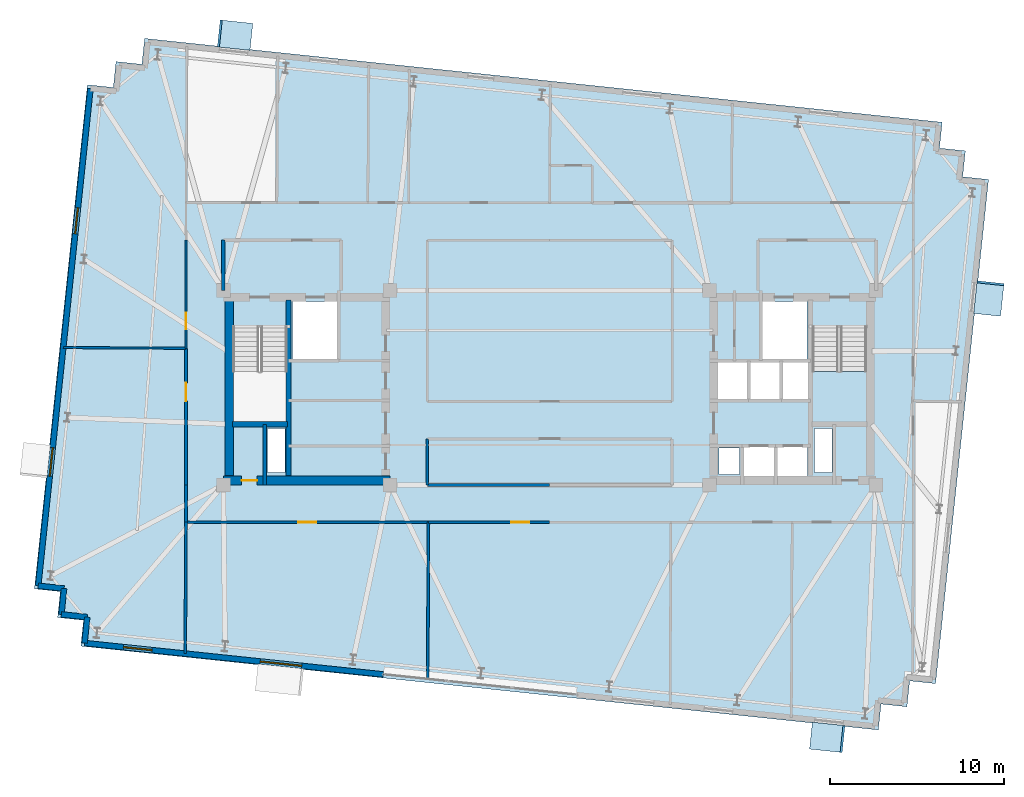
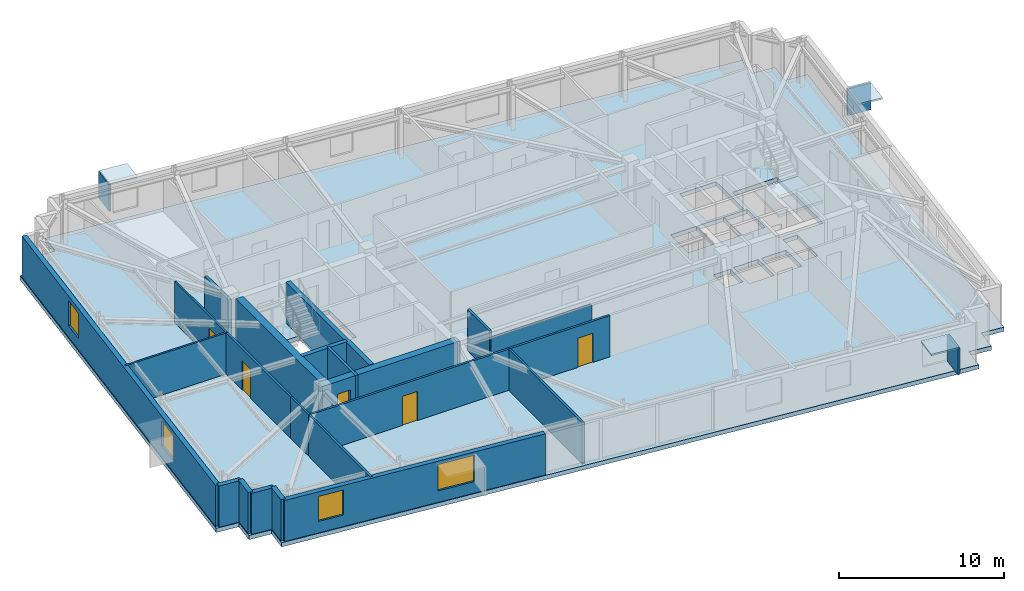
# One storey, part 7 of 13: 22 walls, 6 plates, 5 doors, 4 windows, 2 slabs, 9 openings, 1 element without a shape of its own.
"""IFC4 building model written with IfcOpenShell, lengths in metres."""

from ifc_helpers import new_model, si_unit, direction, frame, frame_2d, origin, origin_2d, place, context, subcontext, project, spatial, polyline, rectangle, outline, extrude, material, layer, layer_set, type_object, element, fill, aggregate, save


model = new_model("IFC4")

# Units and contexts
model_context = context("Model", 3, precision=1e-05, world=origin(), true_north=direction((0.0, 1.0)))
body_context = subcontext(model_context, "Body", "Model", "MODEL_VIEW")
ifc_project = project(units=[si_unit("LENGTHUNIT", "METRE"), si_unit("AREAUNIT", "SQUARE_METRE"), si_unit("VOLUMEUNIT", "CUBIC_METRE"), si_unit("PLANEANGLEUNIT", "RADIAN"), si_unit("MASSUNIT", "GRAM", prefix="KILO")], contexts=[model_context])

# Site, building, storey
site_placement = place(None, origin())
site = spatial("IfcSite", under=ifc_project, at=site_placement, CompositionType="ELEMENT")
building_placement = place(site_placement, origin())
building = spatial("IfcBuilding", under=site, at=building_placement, Name="Qobustan Lattice House", CompositionType="ELEMENT")
storey_placement = place(building_placement, frame((0.0, 0.0, 199.75)))
storey = spatial("IfcBuildingStorey", under=building, at=storey_placement, Name="L56", CompositionType="ELEMENT", Elevation=199.75)

# Plates
ifc_material_1 = material(Name="Qobustan limestone GFRC", Category="masonry")
ifc_layer_1 = layer(ifc_material_1, 0.1201171875)
ifc_layer_set_1 = layer_set([ifc_layer_1], Name="Qobustan limestone GFRC")
plate_type = type_object("IfcPlateType", Name="SHD-HOOD-BROW", PredefinedType="USERDEFINED", material=ifc_layer_set_1)
plate_1_placement = place(storey_placement, frame((-18.12158203125, 20.304443359375, 2.699951171875), z_axis=(0.0, 0.0, 1.0), x_axis=(0.994521895368, -0.104528463268, 0.0)))
element("IfcPlate", 1, at=plate_1_placement, inside=storey, type_object=plate_type, Name="L56 splayed Qobustan stone hood brow", ObjectType="SUNSHADE", PredefinedType="USERDEFINED", context=body_context, shape_type="SweptSolid", body=[
    extrude(rectangle(XDim=1.889892578125, YDim=1.56005859375, at=origin_2d()), origin(), (0.0, 0.0, 1.0), 0.1201171875),
])
plate_2_placement = place(storey_placement, frame((-19.001708984375, 20.39697265625, 0.7900390625), z_axis=(0.0, 0.0, 1.0), x_axis=(0.994521895368, -0.104528463268, 0.0)))
element("IfcPlate", 2, at=plate_2_placement, inside=storey, type_object=plate_type, Name="L56 splayed Qobustan stone hood cheek", ObjectType="SUNSHADE", PredefinedType="USERDEFINED", context=body_context, shape_type="SweptSolid", body=[
    extrude(rectangle(XDim=0.1201171875, YDim=1.56005859375, at=origin_2d()), origin(), (0.0, 0.0, 1.0), 1.969970703125),
])
plate_3_placement = place(storey_placement, frame((25.29638671875, 5.134521484375, 2.699951171875), z_axis=(0.0, 0.0, 1.0), x_axis=(-0.104528463268, -0.994521895368, 0.0)))
element("IfcPlate", 3, at=plate_3_placement, inside=storey, type_object=plate_type, Name="L56 splayed Qobustan stone hood brow", ObjectType="SUNSHADE", PredefinedType="USERDEFINED", context=body_context, shape_type="SweptSolid", body=[
    extrude(rectangle(XDim=1.889892578125, YDim=1.56005859375, at=origin_2d()), origin(), (0.0, 0.0, 1.0), 0.1201171875),
])
plate_4_placement = place(storey_placement, frame((25.388916015625, 6.0146484375, 0.7900390625), z_axis=(0.0, 0.0, 1.0), x_axis=(-0.104528463268, -0.994521895368, 0.0)))
element("IfcPlate", 4, at=plate_4_placement, inside=storey, type_object=plate_type, Name="L56 splayed Qobustan stone hood cheek", ObjectType="SUNSHADE", PredefinedType="USERDEFINED", context=body_context, shape_type="SweptSolid", body=[
    extrude(rectangle(XDim=0.1201171875, YDim=1.56005859375, at=origin_2d()), origin(), (0.0, 0.0, 1.0), 1.969970703125),
])
plate_5_placement = place(storey_placement, frame((15.990234375, -20.142822265625, 2.699951171875), z_axis=(0.0, 0.0, 1.0), x_axis=(-0.994521895368, 0.104528463268, 0.0)))
element("IfcPlate", 5, at=plate_5_placement, inside=storey, type_object=plate_type, Name="L56 splayed Qobustan stone hood brow", ObjectType="SUNSHADE", PredefinedType="USERDEFINED", context=body_context, shape_type="SweptSolid", body=[
    extrude(rectangle(XDim=1.889892578125, YDim=1.56005859375, at=origin_2d()), origin(), (0.0, 0.0, 1.0), 0.1201171875),
])
plate_6_placement = place(storey_placement, frame((16.870361328125, -20.2353515625, 0.7900390625), z_axis=(0.0, 0.0, 1.0), x_axis=(-0.994521895368, 0.104528463268, 0.0)))
element("IfcPlate", 6, at=plate_6_placement, inside=storey, type_object=plate_type, Name="L56 splayed Qobustan stone hood cheek", ObjectType="SUNSHADE", PredefinedType="USERDEFINED", context=body_context, shape_type="SweptSolid", body=[
    extrude(rectangle(XDim=0.1201171875, YDim=1.56005859375, at=origin_2d()), origin(), (0.0, 0.0, 1.0), 1.969970703125),
])

# Slab
ifc_material_2 = material(Name="Concrete C40/50", Category="concrete")
ifc_layer_2 = layer(ifc_material_2, 0.31005859375)
ifc_layer_set_2 = layer_set([ifc_layer_2], Name="Concrete C40/50")
slab_type_1 = type_object("IfcSlabType", Name="SLB-FLR-310", PredefinedType="FLOOR", material=ifc_layer_set_2)
slab_1_placement = place(storey_placement, frame((0.0, 0.0, -0.31005859375)))
element("IfcSlab", 7, at=slab_1_placement, inside=storey, type_object=slab_type_1, Name="L56 structural floor slab", PredefinedType="FLOOR", context=body_context, shape_type="SweptSolid", body=[
    extrude(outline(polyline([(-27.01318359375, -14.888916015625), (18.933837890625, -19.71826171875), (19.090576171875, -18.226318359375), (20.582275390625, -18.38330078125), (20.739013671875, -16.891357421875), (22.23095703125, -17.048095703125), (25.283203125, 11.99169921875), (23.79150390625, 12.148681640625), (23.947998046875, 13.640380859375), (22.456298828125, 13.797119140625), (22.61328125, 15.2890625), (-23.333740234375, 20.1181640625), (-23.490478515625, 18.62646484375), (-24.982421875, 18.783203125), (-25.13916015625, 17.29150390625), (-26.630859375, 17.4482421875), (-29.68310546875, -11.591796875), (-28.19140625, -11.74853515625), (-28.34814453125, -13.240478515625), (-26.8564453125, -13.397216796875), (-27.01318359375, -14.888916015625)]), holes=[polyline([(-18.25, -2.050048828125), (-18.25, 3.489990234375), (-15.1298828125, 3.489990234375), (-15.1298828125, -2.050048828125), (-18.25, -2.050048828125)]), polyline([(15.1298828125, -2.050048828125), (15.1298828125, 3.489990234375), (18.25, 3.489990234375), (18.25, -2.050048828125), (15.1298828125, -2.050048828125)]), polyline([(-14.820068359375, 1.64990234375), (-14.820068359375, 4.9599609375), (-12.25, 4.9599609375), (-12.25, 1.64990234375), (-14.820068359375, 1.64990234375)]), polyline([(12.25, 1.64990234375), (12.25, 4.9599609375), (14.820068359375, 4.9599609375), (14.820068359375, 1.64990234375), (12.25, 1.64990234375)]), polyline([(-16.260009765625, -4.8798828125), (-16.260009765625, -2.360107421875), (-15.260009765625, -2.360107421875), (-15.260009765625, -4.8798828125), (-16.260009765625, -4.8798828125)]), polyline([(15.260009765625, -4.8798828125), (15.260009765625, -2.360107421875), (16.260009765625, -2.360107421875), (16.260009765625, -4.8798828125), (15.260009765625, -4.8798828125)]), polyline([(11.179931640625, -5.35009765625), (11.179931640625, -3.419921875), (12.919921875, -3.419921875), (12.919921875, -5.35009765625), (11.179931640625, -5.35009765625)]), polyline([(13.1201171875, -5.35009765625), (13.1201171875, -3.419921875), (14.85009765625, -3.419921875), (14.85009765625, -5.35009765625), (13.1201171875, -5.35009765625)]), polyline([(9.760009765625, -5.0), (9.760009765625, -3.47998046875), (10.93994140625, -3.47998046875), (10.93994140625, -5.0), (9.760009765625, -5.0)]), polyline([(13.360107421875, -0.679931640625), (13.360107421875, 1.47998046875), (14.97998046875, 1.47998046875), (14.97998046875, -0.679931640625), (13.360107421875, -0.679931640625)]), polyline([(9.6201171875, -0.679931640625), (9.6201171875, 1.47998046875), (11.43994140625, 1.47998046875), (11.43994140625, -0.679931640625), (9.6201171875, -0.679931640625)]), polyline([(11.5, -0.679931640625), (11.5, 1.47998046875), (13.320068359375, 1.47998046875), (13.320068359375, -0.679931640625), (11.5, -0.679931640625)])]), origin(), (0.0, 0.0, 1.0), 0.31005859375),
])

# Stair, slab
ifc_material_3 = material(Name="Concrete C40/50", Category="concrete")
stair_type = type_object("IfcStairType", Name="STR-CORE-DOGLEG", PredefinedType="HALF_TURN_STAIR", material=ifc_material_3)
stair_placement = place(storey_placement, origin())
stair = element("IfcStair", 8, at=stair_placement, inside=storey, type_object=stair_type, Name="L56 East protected exit stair ST-E1", PredefinedType="HALF_TURN_STAIR")
ifc_material_4 = material(Name="Concrete C40/50", Category="concrete")
ifc_layer_3 = layer(ifc_material_4, 0.199951171875)
ifc_layer_set_3 = layer_set([ifc_layer_3], Name="Concrete C40/50")
slab_type_2 = type_object("IfcSlabType", Name="SLB-LANDING-200", PredefinedType="LANDING", material=ifc_layer_set_3)
slab_2_placement = place(storey_placement, frame((0.0, 0.0, 1.47509765625)))
slab_2 = element("IfcSlab", 9, at=slab_2_placement, type_object=slab_type_2, Name="ST-E1 landing 1", PredefinedType="LANDING", context=body_context, shape_type="SweptSolid", body=[
    extrude(outline(polyline([(15.1298828125, 0.93505859375), (15.1298828125, -2.050048828125), (18.25, -2.050048828125), (18.25, 0.93505859375), (15.1298828125, 0.93505859375)])), origin(), (0.0, 0.0, 1.0), 0.199951171875),
])
aggregate(stair, [slab_2])

# Wall, opening, door
ifc_material_5 = material(Name="Concrete C50/60", Category="concrete")
ifc_layer_4 = layer(ifc_material_5, 0.5)
ifc_layer_set_4 = layer_set([ifc_layer_4], Name="Concrete C50/60")
wall_type_1 = type_object("IfcWallType", Name="WAL-CORE-500", PredefinedType="SHEAR", material=ifc_layer_set_4)
wall_1_placement = place(storey_placement, frame((-18.800048828125, -5.35009765625, 0.0), z_axis=(0.0, 0.0, 1.0), x_axis=(1.0, 0.0, 0.0)))
wall_1 = element("IfcWall", 10, at=wall_1_placement, inside=storey, type_object=wall_type_1, Name="L56 split-core shear wall CW-S", PredefinedType="SHEAR", context=body_context, shape_type="SweptSolid", body=[
    extrude(rectangle(XDim=9.60009765625, YDim=0.5, at=frame_2d((4.800048828125, 0.0))), origin(), (0.0, 0.0, 1.0), 3.0400390625),
])
opening_1_placement = place(wall_1_placement, frame((1.050048828125, 0.0, 0.0)))
opening_1 = element("IfcOpeningElement", 11, at=opening_1_placement, cuts=wall_1, Name="Opening RD-01", PredefinedType="OPENING", context=body_context, shape_type="SweptSolid", body=[
    extrude(rectangle(XDim=0.89990234375, YDim=2.10009765625, at=frame_2d((0.449951171875, 1.050048828125))), frame((0.0, 0.260009765625, 0.0), z_axis=(0.0, -1.0, 0.0), x_axis=(1.0, 0.0, 0.0)), (0.0, 0.0, 1.0), 0.52001953125),
])
ifc_material_6 = material(Name="Persian walnut timber and steel frame door", Category="steel")
door_type_1 = type_object("IfcDoorType", Name="DOR-RISER-FD-900x2100", OperationType="NOTDEFINED", PredefinedType="DOOR", material=ifc_material_6)
door_1_placement = place(opening_1_placement, origin())
door_1 = element("IfcDoor", 12, at=door_1_placement, inside=storey, type_object=door_type_1, Name="L56 core service riser access door W", OperationType="SINGLE_SWING_RIGHT", OverallHeight=2.10009765625, OverallWidth=0.89990234375, PredefinedType="DOOR", context=body_context, shape_type="SweptSolid", body=[
    extrude(rectangle(XDim=0.89990234375, YDim=2.10009765625, at=frame_2d((0.449951171875, 1.050048828125))), frame((0.0, 0.02490234375, 0.0), z_axis=(0.0, -1.0, 0.0), x_axis=(1.0, 0.0, 0.0)), (0.0, 0.0, 1.0), 0.050048828125),
])
fill(opening_1, door_1)

# Walls
wall_2_placement = place(storey_placement, frame((-18.4599609375, -5.050048828125, 0.0), z_axis=(0.0, 0.0, 1.0), x_axis=(0.0, 1.0, 0.0)))
element("IfcWall", 13, at=wall_2_placement, inside=storey, type_object=wall_type_1, Name="L56 split-core shear wall CW-W", PredefinedType="SHEAR", context=body_context, shape_type="SweptSolid", body=[
    extrude(rectangle(XDim=10.10009765625, YDim=0.5, at=frame_2d((5.050048828125, 0.0))), origin(), (0.0, 0.0, 1.0), 3.0400390625),
])
ifc_material_7 = material(Name="Concrete C50/60", Category="concrete")
ifc_layer_5 = layer(ifc_material_7, 0.280029296875)
ifc_layer_set_5 = layer_set([ifc_layer_5], Name="Concrete C50/60")
wall_type_2 = type_object("IfcWallType", Name="WAL-CORE-SPINE-280", PredefinedType="SHEAR", material=ifc_layer_set_5)
wall_3_placement = place(storey_placement, frame((-15.050048828125, -5.050048828125, 0.0), z_axis=(0.0, 0.0, 1.0), x_axis=(0.0, 1.0, 0.0)))
element("IfcWall", 14, at=wall_3_placement, inside=storey, type_object=wall_type_2, Name="L56 split-core shear wall CW-M", PredefinedType="SHEAR", context=body_context, shape_type="SweptSolid", body=[
    extrude(rectangle(XDim=10.10009765625, YDim=0.300048828125, at=frame_2d((5.050048828125, 0.0))), origin(), (0.0, 0.0, 1.0), 3.0400390625),
])
wall_4_placement = place(storey_placement, frame((-18.280029296875, -2.110107421875, 0.0), z_axis=(0.0, 0.0, 1.0), x_axis=(1.0, 0.0, 0.0)))
element("IfcWall", 15, at=wall_4_placement, inside=storey, type_object=wall_type_2, Name="L56 split-core shear wall CW-ST", PredefinedType="SHEAR", context=body_context, shape_type="SweptSolid", body=[
    extrude(rectangle(XDim=3.179931640625, YDim=0.300048828125, at=frame_2d((1.58984375, 0.0))), origin(), (0.0, 0.0, 1.0), 3.0400390625),
])
ifc_material_8 = material(Name="Precast concrete C40/50", Category="concrete")
ifc_layer_6 = layer(ifc_material_8, 0.320068359375)
ifc_layer_set_6 = layer_set([ifc_layer_6], Name="Precast concrete C40/50")
wall_type_3 = type_object("IfcWallType", Name="WAL-EXT-STONE-320", PredefinedType="SOLIDWALL", material=ifc_layer_set_6)
for number, where, z_axis, x_axis, name in (
    (16, (-26.79345703125, -14.7109375, 0.0), (0.0, 0.0, 1.0), (0.104498377516, 0.994525057048, 0.0), "L56 exterior limestone-clad wall 1"),
    (17, (-26.63671875, -13.21923828125, 0.0), (0.0, 0.0, 1.0), (-0.994525057048, 0.104498377516, 0.0), "L56 exterior limestone-clad wall 2"),
):
    element("IfcWall", number, at=place(storey_placement, frame(where, z_axis=z_axis, x_axis=x_axis)), inside=storey, type_object=wall_type_3, Name=name, PredefinedType="SOLIDWALL", context=body_context, shape_type="SweptSolid", body=[
        extrude(rectangle(XDim=1.5, YDim=0.320068359375, at=frame_2d((0.75, 0.0))), origin(), (0.0, 0.0, 1.0), 3.0400390625),
    ])
wall_5_placement = place(storey_placement, frame((-28.12841796875, -13.0625, 0.0), z_axis=(0.0, 0.0, 1.0), x_axis=(0.104481464157, 0.994526834051, 0.0)))
element("IfcWall", 18, at=wall_5_placement, inside=storey, type_object=wall_type_3, Name="L56 exterior limestone-clad wall 3", PredefinedType="SOLIDWALL", context=body_context, shape_type="SweptSolid", body=[
    extrude(rectangle(XDim=1.500244140625, YDim=0.320068359375, at=frame_2d((0.75, 0.0))), origin(), (0.0, 0.0, 1.0), 3.0400390625),
])
wall_6_placement = place(storey_placement, frame((-27.9716796875, -11.570556640625, 0.0), z_axis=(0.0, 0.0, 1.0), x_axis=(-0.994525057048, 0.104498377516, 0.0)))
element("IfcWall", 19, at=wall_6_placement, inside=storey, type_object=wall_type_3, Name="L56 exterior limestone-clad wall 4", PredefinedType="SOLIDWALL", context=body_context, shape_type="SweptSolid", body=[
    extrude(rectangle(XDim=1.5, YDim=0.320068359375, at=frame_2d((0.75, 0.0))), origin(), (0.0, 0.0, 1.0), 3.0400390625),
])

# Wall, openings, windows
wall_7_placement = place(storey_placement, frame((-29.46337890625, -11.413818359375, 0.0), z_axis=(0.0, 0.0, 1.0), x_axis=(0.104530779244, 0.994521651947, 0.0)))
wall_7 = element("IfcWall", 20, at=wall_7_placement, inside=storey, type_object=wall_type_3, Name="L56 exterior limestone-clad wall 5", PredefinedType="SOLIDWALL", context=body_context, shape_type="SweptSolid", body=[
    extrude(rectangle(XDim=28.800048828125, YDim=0.320068359375, at=frame_2d((14.39990234375, 0.0))), origin(), (0.0, 0.0, 1.0), 3.0400390625),
])
opening_2_placement = place(wall_7_placement, frame((6.35498046875, 0.0, 0.85009765625)))
opening_2 = element("IfcOpeningElement", 21, at=opening_2_placement, cuts=wall_7, Name="Opening WN-09", PredefinedType="OPENING", context=body_context, shape_type="SweptSolid", body=[
    extrude(rectangle(XDim=1.64990234375, YDim=1.85009765625, at=frame_2d((0.824951171875, 0.925048828125))), frame((0.0, 0.169921875, 0.0), z_axis=(0.0, -1.0, 0.0), x_axis=(1.0, 0.0, 0.0)), (0.0, 0.0, 1.0), 0.340087890625),
])
opening_3_placement = place(wall_7_placement, frame((20.388671875, 0.0, 0.85009765625)))
opening_3 = element("IfcOpeningElement", 22, at=opening_3_placement, cuts=wall_7, Name="Opening WN-01", PredefinedType="OPENING", context=body_context, shape_type="SweptSolid", body=[
    extrude(rectangle(XDim=1.5, YDim=1.85009765625, at=frame_2d((0.75, 0.925048828125))), frame((0.0, 0.169921875, 0.0), z_axis=(0.0, -1.0, 0.0), x_axis=(1.0, 0.0, 0.0)), (0.0, 0.0, 1.0), 0.340087890625),
])
ifc_material_9 = material(Name="Double-glazed low-E aluminium window", Category="aluminium")
window_type_1 = type_object("IfcWindowType", Name="WIN-BED-1500x1850", PartitioningType="SINGLE_PANEL", PredefinedType="WINDOW", material=ifc_material_9)
window_1_placement = place(opening_3_placement, origin())
window_1 = element("IfcWindow", 23, at=window_1_placement, inside=storey, type_object=window_type_1, Name="L56 Music and podcast studio window", OverallHeight=1.85009765625, OverallWidth=1.5, PartitioningType="SINGLE_PANEL", PredefinedType="WINDOW", context=body_context, shape_type="SweptSolid", body=[
    extrude(rectangle(XDim=1.5, YDim=1.85009765625, at=frame_2d((0.75, 0.925048828125))), frame((0.0, 0.030029296875, 0.0), z_axis=(0.0, -1.0, 0.0), x_axis=(1.0, 0.0, 0.0)), (0.0, 0.0, 1.0), 0.06005859375),
])
fill(opening_3, window_1)
ifc_material_10 = material(Name="Double-glazed low-E aluminium window", Category="aluminium")
window_type_2 = type_object("IfcWindowType", Name="WIN-STU-1650x1850", PartitioningType="SINGLE_PANEL", PredefinedType="WINDOW", material=ifc_material_10)
window_2_placement = place(opening_2_placement, origin())
window_2 = element("IfcWindow", 24, at=window_2_placement, inside=storey, type_object=window_type_2, Name="L56 Academic seminar room window", OverallHeight=1.85009765625, OverallWidth=1.64990234375, PartitioningType="SINGLE_PANEL", PredefinedType="WINDOW", context=body_context, shape_type="SweptSolid", body=[
    extrude(rectangle(XDim=1.64990234375, YDim=1.85009765625, at=frame_2d((0.824951171875, 0.925048828125))), frame((0.0, 0.030029296875, 0.0), z_axis=(0.0, -1.0, 0.0), x_axis=(1.0, 0.0, 0.0)), (0.0, 0.0, 1.0), 0.06005859375),
])
fill(opening_2, window_2)

wall_8_placement = place(storey_placement, frame((-9.588134765625, -16.519287109375, 0.0), z_axis=(0.0, 0.0, 1.0), x_axis=(-0.994521911171, 0.104528312915, 0.0)))
wall_8 = element("IfcWall", 25, at=wall_8_placement, inside=storey, type_object=wall_type_3, Name="L56 iwan flank stone wall B", PredefinedType="SOLIDWALL", context=body_context, shape_type="SweptSolid", body=[
    extrude(rectangle(XDim=17.300048828125, YDim=0.320068359375, at=frame_2d((8.64990234375, 0.0))), origin(), (0.0, 0.0, 1.0), 3.0400390625),
])
opening_4_placement = place(wall_8_placement, frame((4.716796875, 0.0, 0.85009765625)))
opening_4 = element("IfcOpeningElement", 26, at=opening_4_placement, cuts=wall_8, Name="Opening WN-10", PredefinedType="OPENING", context=body_context, shape_type="SweptSolid", body=[
    extrude(rectangle(XDim=2.39990234375, YDim=1.949951171875, at=frame_2d((1.199951171875, 0.97509765625))), frame((0.0, 0.169921875, 0.0), z_axis=(0.0, -1.0, 0.0), x_axis=(1.0, 0.0, 0.0)), (0.0, 0.0, 1.0), 0.340087890625),
])
opening_5_placement = place(wall_8_placement, frame((13.3916015625, 0.0, 0.85009765625)))
opening_5 = element("IfcOpeningElement", 27, at=opening_5_placement, cuts=wall_8, Name="Opening WN-09", PredefinedType="OPENING", context=body_context, shape_type="SweptSolid", body=[
    extrude(rectangle(XDim=1.64990234375, YDim=1.85009765625, at=frame_2d((0.824951171875, 0.925048828125))), frame((0.0, 0.169921875, 0.0), z_axis=(0.0, -1.0, 0.0), x_axis=(1.0, 0.0, 0.0)), (0.0, 0.0, 1.0), 0.340087890625),
])
ifc_material_11 = material(Name="Double-glazed low-E aluminium window", Category="aluminium")
window_type_3 = type_object("IfcWindowType", Name="WIN-LNG-2400x1950", PartitioningType="SINGLE_PANEL", PredefinedType="WINDOW", material=ifc_material_11)
window_3_placement = place(opening_4_placement, origin())
window_3 = element("IfcWindow", 28, at=window_3_placement, inside=storey, type_object=window_type_3, Name="L56 Walnut iwan sky lounge S1 window", OverallHeight=1.949951171875, OverallWidth=2.39990234375, PartitioningType="SINGLE_PANEL", PredefinedType="WINDOW", context=body_context, shape_type="SweptSolid", body=[
    extrude(rectangle(XDim=2.39990234375, YDim=1.949951171875, at=frame_2d((1.199951171875, 0.97509765625))), frame((0.0, 0.030029296875, 0.0), z_axis=(0.0, -1.0, 0.0), x_axis=(1.0, 0.0, 0.0)), (0.0, 0.0, 1.0), 0.06005859375),
])
fill(opening_4, window_3)
window_4_placement = place(opening_5_placement, origin())
window_4 = element("IfcWindow", 29, at=window_4_placement, inside=storey, type_object=window_type_2, Name="L56 Academic seminar room window", OverallHeight=1.85009765625, OverallWidth=1.64990234375, PartitioningType="SINGLE_PANEL", PredefinedType="WINDOW", context=body_context, shape_type="SweptSolid", body=[
    extrude(rectangle(XDim=1.64990234375, YDim=1.85009765625, at=frame_2d((0.824951171875, 0.925048828125))), frame((0.0, 0.030029296875, 0.0), z_axis=(0.0, -1.0, 0.0), x_axis=(1.0, 0.0, 0.0)), (0.0, 0.0, 1.0), 0.06005859375),
])
fill(opening_5, window_4)

# Wall, opening, door
ifc_material_12 = material(Name="Lightweight acoustic stud partition", Category="gypsum")
ifc_layer_7 = layer(ifc_material_12, 0.125)
ifc_layer_set_7 = layer_set([ifc_layer_7], Name="Lightweight acoustic stud partition")
wall_type_4 = type_object("IfcWallType", Name="WAL-PART-125", PredefinedType="PARTITIONING", material=ifc_layer_set_7)
wall_9_placement = place(storey_placement, frame((-20.949951171875, 2.26708984375, 0.0), z_axis=(0.0, 0.0, 1.0), x_axis=(0.0, 1.0, 0.0)))
wall_9 = element("IfcWall", 30, at=wall_9_placement, inside=storey, type_object=wall_type_4, Name="L56 interior partition 52", PredefinedType="PARTITIONING", context=body_context, shape_type="SweptSolid", body=[
    extrude(rectangle(XDim=6.23291015625, YDim=0.125, at=frame_2d((3.116455078125, 0.0))), origin(), (0.0, 0.0, 1.0), 3.0400390625),
])
opening_6_placement = place(wall_9_placement, frame((1.095458984375, 0.0, 0.0)))
opening_6 = element("IfcOpeningElement", 31, at=opening_6_placement, cuts=wall_9, Name="Opening ID-01", PredefinedType="OPENING", context=body_context, shape_type="SweptSolid", body=[
    extrude(rectangle(XDim=0.949951171875, YDim=2.10009765625, at=frame_2d((0.47509765625, 1.050048828125))), frame((0.0, 0.072509765625, 0.0), z_axis=(0.0, -1.0, 0.0), x_axis=(1.0, 0.0, 0.0)), (0.0, 0.0, 1.0), 0.14501953125),
])
ifc_material_13 = material(Name="Persian walnut timber and steel frame door", Category="steel")
door_type_2 = type_object("IfcDoorType", Name="DOR-ROOM-950x2100", OperationType="NOTDEFINED", PredefinedType="DOOR", material=ifc_material_13)
door_2_placement = place(opening_6_placement, origin())
door_2 = element("IfcDoor", 32, at=door_2_placement, inside=storey, type_object=door_type_2, Name="L56 West wing spine gallery to Music and podcast studio door", OperationType="SINGLE_SWING_RIGHT", OverallHeight=2.10009765625, OverallWidth=0.949951171875, PredefinedType="DOOR", context=body_context, shape_type="SweptSolid", body=[
    extrude(rectangle(XDim=0.949951171875, YDim=2.10009765625, at=frame_2d((0.47509765625, 1.050048828125))), frame((0.0, 0.02490234375, 0.0), z_axis=(0.0, -1.0, 0.0), x_axis=(1.0, 0.0, 0.0)), (0.0, 0.0, 1.0), 0.050048828125),
])
fill(opening_6, door_2)

# Walls
wall_10_placement = place(storey_placement, frame((-28.020751953125, 2.310791015625, 0.0), z_axis=(0.0, 0.0, 1.0), x_axis=(0.99998090118, -0.006180394355, 0.0)))
element("IfcWall", 33, at=wall_10_placement, inside=storey, type_object=wall_type_4, Name="L56 interior partition 61", PredefinedType="PARTITIONING", context=body_context, shape_type="SweptSolid", body=[
    extrude(rectangle(XDim=7.071044921875, YDim=0.125, at=frame_2d((3.53564453125, 0.0))), origin(), (0.0, 0.0, 1.0), 3.0400390625),
])
ifc_material_14 = material(Name="Acoustic twin-stud gypsum partition", Category="gypsum")
ifc_layer_8 = layer(ifc_material_14, 0.14990234375)
ifc_layer_set_8 = layer_set([ifc_layer_8], Name="Acoustic twin-stud gypsum partition")
wall_type_5 = type_object("IfcWallType", Name="WAL-PART-150", PredefinedType="PARTITIONING", material=ifc_layer_set_8)
wall_11_placement = place(storey_placement, frame((-20.949951171875, -7.75, 0.0), z_axis=(0.0, 0.0, 1.0), x_axis=(0.0, 1.0, 0.0)))
element("IfcWall", 34, at=wall_11_placement, inside=storey, type_object=wall_type_5, Name="L56 interior partition 42", PredefinedType="PARTITIONING", context=body_context, shape_type="SweptSolid", body=[
    extrude(rectangle(XDim=2.14990234375, YDim=0.14990234375, at=frame_2d((1.074951171875, 0.0))), origin(), (0.0, 0.0, 1.0), 3.0400390625),
])

# Wall, opening, door
wall_12_placement = place(storey_placement, frame((-6.98291015625, -7.75, 0.0), z_axis=(0.0, 0.0, 1.0), x_axis=(-1.0, 0.0, 0.0)))
wall_12 = element("IfcWall", 35, at=wall_12_placement, inside=storey, type_object=wall_type_5, Name="L56 interior partition 43", PredefinedType="PARTITIONING", context=body_context, shape_type="SweptSolid", body=[
    extrude(rectangle(XDim=13.967041015625, YDim=0.14990234375, at=frame_2d((6.9833984375, 0.0))), origin(), (0.0, 0.0, 1.0), 3.0400390625),
])
opening_7_placement = place(wall_12_placement, frame((6.45849609375, 0.0, 0.0)))
opening_7 = element("IfcOpeningElement", 36, at=opening_7_placement, cuts=wall_12, Name="Opening ID-02", PredefinedType="OPENING", context=body_context, shape_type="SweptSolid", body=[
    extrude(rectangle(XDim=1.050048828125, YDim=2.14990234375, at=frame_2d((0.52490234375, 1.074951171875))), frame((0.0, 0.0849609375, 0.0), z_axis=(0.0, -1.0, 0.0), x_axis=(1.0, 0.0, 0.0)), (0.0, 0.0, 1.0), 0.169921875),
])
ifc_material_15 = material(Name="Persian walnut timber and steel frame door", Category="steel")
door_type_3 = type_object("IfcDoorType", Name="DOR-STUDY-1050x2150", OperationType="NOTDEFINED", PredefinedType="DOOR", material=ifc_material_15)
door_3_placement = place(opening_7_placement, origin())
door_3 = element("IfcDoor", 37, at=door_3_placement, inside=storey, type_object=door_type_3, Name="L56 South-west floor corridor to Walnut iwan sky lounge S1 door", OperationType="SINGLE_SWING_LEFT", OverallHeight=2.14990234375, OverallWidth=1.050048828125, PredefinedType="DOOR", context=body_context, shape_type="SweptSolid", body=[
    extrude(rectangle(XDim=1.050048828125, YDim=2.14990234375, at=frame_2d((0.52490234375, 1.074951171875))), frame((0.0, 0.02490234375, 0.0), z_axis=(0.0, -1.0, 0.0), x_axis=(1.0, 0.0, 0.0)), (0.0, 0.0, 1.0), 0.050048828125),
])
fill(opening_7, door_3)

wall_13_placement = place(storey_placement, frame((0.0, -7.75, 0.0), z_axis=(0.0, 0.0, 1.0), x_axis=(-1.0, 0.0, 0.0)))
wall_13 = element("IfcWall", 38, at=wall_13_placement, inside=storey, type_object=wall_type_5, Name="L56 interior partition 44", PredefinedType="PARTITIONING", context=body_context, shape_type="SweptSolid", body=[
    extrude(rectangle(XDim=6.98291015625, YDim=0.14990234375, at=frame_2d((3.491455078125, 0.0))), origin(), (0.0, 0.0, 1.0), 3.0400390625),
])
opening_8_placement = place(wall_13_placement, frame((1.176513671875, 0.0, 0.0)))
opening_8 = element("IfcOpeningElement", 39, at=opening_8_placement, cuts=wall_13, Name="Opening ID-02", PredefinedType="OPENING", context=body_context, shape_type="SweptSolid", body=[
    extrude(rectangle(XDim=1.050048828125, YDim=2.14990234375, at=frame_2d((0.52490234375, 1.074951171875))), frame((0.0, 0.0849609375, 0.0), z_axis=(0.0, -1.0, 0.0), x_axis=(1.0, 0.0, 0.0)), (0.0, 0.0, 1.0), 0.169921875),
])
door_4_placement = place(opening_8_placement, origin())
door_4 = element("IfcDoor", 40, at=door_4_placement, inside=storey, type_object=door_type_3, Name="L56 South-west floor corridor to Walnut iwan sky lounge S2 door", OperationType="SINGLE_SWING_RIGHT", OverallHeight=2.14990234375, OverallWidth=1.050048828125, PredefinedType="DOOR", context=body_context, shape_type="SweptSolid", body=[
    extrude(rectangle(XDim=1.050048828125, YDim=2.14990234375, at=frame_2d((0.52490234375, 1.074951171875))), frame((0.0, 0.02490234375, 0.0), z_axis=(0.0, -1.0, 0.0), x_axis=(1.0, 0.0, 0.0)), (0.0, 0.0, 1.0), 0.050048828125),
])
fill(opening_8, door_4)

wall_14_placement = place(storey_placement, frame((-20.949951171875, -5.60009765625, 0.0), z_axis=(0.0, 0.0, 1.0), x_axis=(0.0, 1.0, 0.0)))
wall_14 = element("IfcWall", 41, at=wall_14_placement, inside=storey, type_object=wall_type_5, Name="L56 interior partition 51", PredefinedType="PARTITIONING", context=body_context, shape_type="SweptSolid", body=[
    extrude(rectangle(XDim=7.8671875, YDim=0.14990234375, at=frame_2d((3.93359375, 0.0))), origin(), (0.0, 0.0, 1.0), 3.0400390625),
])
opening_9_placement = place(wall_14_placement, frame((4.82275390625, 0.0, 0.0)))
opening_9 = element("IfcOpeningElement", 42, at=opening_9_placement, cuts=wall_14, Name="Opening ID-02", PredefinedType="OPENING", context=body_context, shape_type="SweptSolid", body=[
    extrude(rectangle(XDim=1.050048828125, YDim=2.14990234375, at=frame_2d((0.52490234375, 1.074951171875))), frame((0.0, 0.0849609375, 0.0), z_axis=(0.0, -1.0, 0.0), x_axis=(1.0, 0.0, 0.0)), (0.0, 0.0, 1.0), 0.169921875),
])
door_5_placement = place(opening_9_placement, origin())
door_5 = element("IfcDoor", 43, at=door_5_placement, inside=storey, type_object=door_type_3, Name="L56 West wing spine gallery to Academic seminar room door", OperationType="SINGLE_SWING_LEFT", OverallHeight=2.14990234375, OverallWidth=1.050048828125, PredefinedType="DOOR", context=body_context, shape_type="SweptSolid", body=[
    extrude(rectangle(XDim=1.050048828125, YDim=2.14990234375, at=frame_2d((0.52490234375, 1.074951171875))), frame((0.0, 0.02490234375, 0.0), z_axis=(0.0, -1.0, 0.0), x_axis=(1.0, 0.0, 0.0)), (0.0, 0.0, 1.0), 0.050048828125),
])
fill(opening_9, door_5)

# Walls
wall_15_placement = place(storey_placement, frame((-20.949951171875, -7.75, 0.0), z_axis=(0.0, 0.0, 1.0), x_axis=(-0.005804668564, -0.99998315277, 0.0)))
element("IfcWall", 44, at=wall_15_placement, inside=storey, type_object=wall_type_5, Name="L56 interior partition 62", PredefinedType="PARTITIONING", context=body_context, shape_type="SweptSolid", body=[
    extrude(rectangle(XDim=7.57080078125, YDim=0.14990234375, at=frame_2d((3.785400390625, 0.0))), origin(), (0.0, 0.0, 1.0), 3.0400390625),
])
wall_16_placement = place(storey_placement, frame((-6.98291015625, -7.75, 0.0), z_axis=(0.0, 0.0, 1.0), x_axis=(-0.004861916497, -0.999988180814, 0.0)))
element("IfcWall", 45, at=wall_16_placement, inside=storey, type_object=wall_type_5, Name="L56 interior partition 75", PredefinedType="PARTITIONING", context=body_context, shape_type="SweptSolid", body=[
    extrude(rectangle(XDim=9.03857421875, YDim=0.14990234375, at=frame_2d((4.519287109375, 0.0))), origin(), (0.0, 0.0, 1.0), 3.0400390625),
])
ifc_material_16 = material(Name="High-mass acoustic twin-stud partition", Category="gypsum")
ifc_layer_9 = layer(ifc_material_16, 0.1650390625)
ifc_layer_set_9 = layer_set([ifc_layer_9], Name="High-mass acoustic twin-stud partition")
wall_type_6 = type_object("IfcWallType", Name="WAL-PART-165", PredefinedType="PARTITIONING", material=ifc_layer_set_9)
wall_17_placement = place(storey_placement, frame((-7.050048828125, -5.60009765625, 0.0), z_axis=(0.0, 0.0, 1.0), x_axis=(1.0, 0.0, 0.0)))
element("IfcWall", 46, at=wall_17_placement, inside=storey, type_object=wall_type_6, Name="L56 interior partition 45", PredefinedType="PARTITIONING", context=body_context, shape_type="SweptSolid", body=[
    extrude(rectangle(XDim=7.050048828125, YDim=0.1650390625, at=frame_2d((3.52490234375, 0.0))), origin(), (0.0, 0.0, 1.0), 2.52490234375),
])
wall_18_placement = place(storey_placement, frame((-7.050048828125, -2.949951171875, 0.0), z_axis=(0.0, 0.0, 1.0), x_axis=(0.0, -1.0, 0.0)))
element("IfcWall", 47, at=wall_18_placement, inside=storey, type_object=wall_type_6, Name="L56 interior partition 58", PredefinedType="PARTITIONING", context=body_context, shape_type="SweptSolid", body=[
    extrude(rectangle(XDim=2.650146484375, YDim=0.1650390625, at=frame_2d((1.3251953125, 0.0))), origin(), (0.0, 0.0, 1.0), 3.0400390625),
])
ifc_material_17 = material(Name="Two-hour gypsum fireboard acoustic partition", Category="gypsum")
ifc_layer_10 = layer(ifc_material_17, 0.199951171875)
ifc_layer_set_10 = layer_set([ifc_layer_10], Name="Two-hour gypsum fireboard acoustic partition")
wall_type_7 = type_object("IfcWallType", Name="WAL-PROT-200", PredefinedType="PARTITIONING", material=ifc_layer_set_10)
wall_19_placement = place(storey_placement, frame((-18.800048828125, 8.5, 0.0), z_axis=(0.0, 0.0, 1.0), x_axis=(0.0, -1.0, 0.0)))
element("IfcWall", 48, at=wall_19_placement, inside=storey, type_object=wall_type_7, Name="L56 interior partition 4", PredefinedType="PARTITIONING", context=body_context, shape_type="SweptSolid", body=[
    extrude(rectangle(XDim=2.89990234375, YDim=0.199951171875, at=frame_2d((1.449951171875, 0.0))), origin(), (0.0, 0.0, 1.0), 2.6650390625),
])
ifc_material_18 = material(Name="Concrete C40/50", Category="concrete")
ifc_layer_11 = layer(ifc_material_18, 0.199951171875)
ifc_layer_set_11 = layer_set([ifc_layer_11], Name="Concrete C40/50")
wall_type_8 = type_object("IfcWallType", Name="WAL-SHAFT-200", PredefinedType="PARTITIONING", material=ifc_layer_set_11)
wall_20_placement = place(storey_placement, frame((-16.39990234375, -5.60009765625, 0.0), z_axis=(0.0, 0.0, 1.0), x_axis=(0.0, 1.0, 0.0)))
element("IfcWall", 49, at=wall_20_placement, inside=storey, type_object=wall_type_8, Name="L56 interior partition 1", PredefinedType="PARTITIONING", context=body_context, shape_type="SweptSolid", body=[
    extrude(rectangle(XDim=3.489990234375, YDim=0.199951171875, at=frame_2d((1.7451171875, 0.0))), origin(), (0.0, 0.0, 1.0), 3.0400390625),
])

save(model, "model.ifc")
